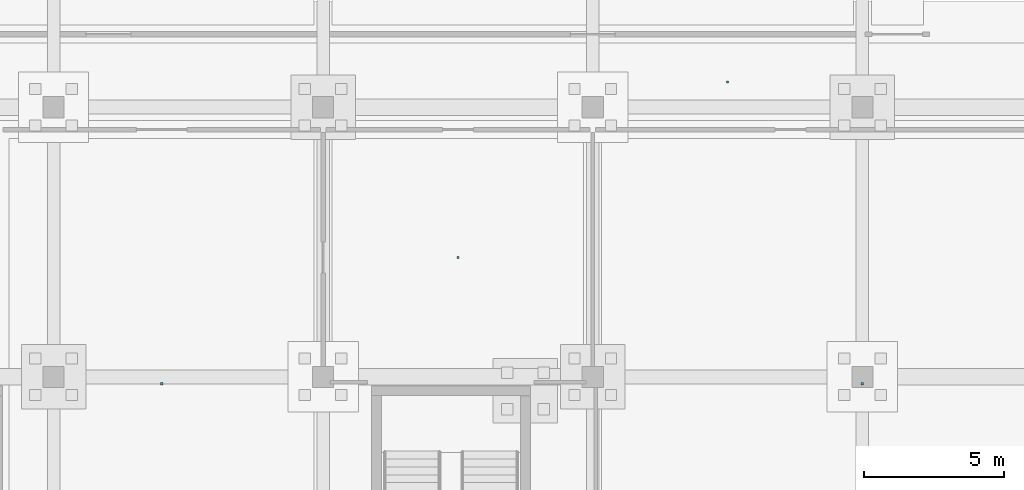
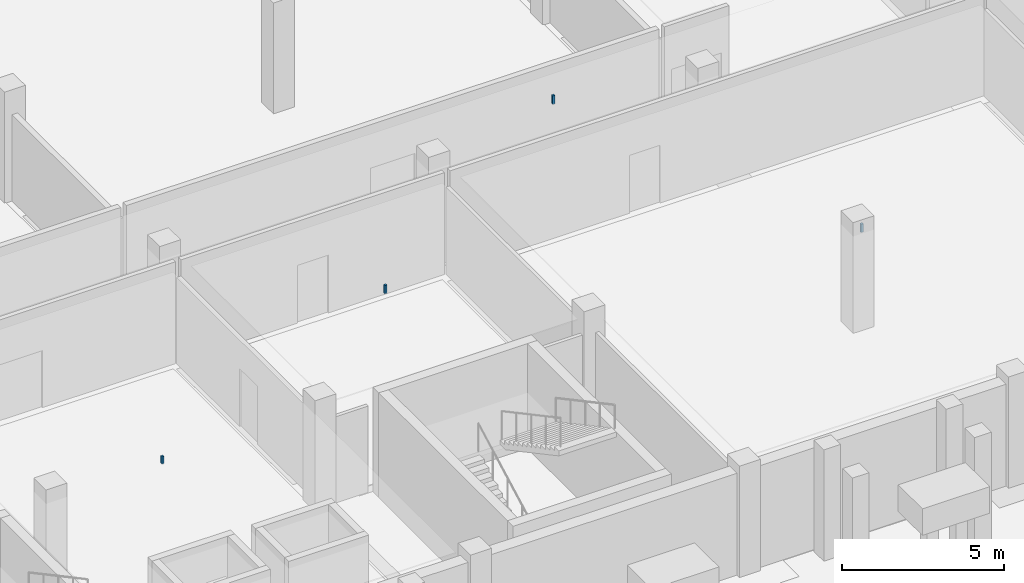
# One storey, part 26 of 31: 4 discrete accessories.
"""IFC4 building model written with IfcOpenShell, lengths in metres."""

from ifc_helpers import new_model, si_unit, direction, frame, origin, origin_2d, place, context, subcontext, project, spatial, rectangle, extrude, material, type_object, element, save


model = new_model("IFC4")

# Units and contexts
model_context = context("Model", 3, precision=1e-05, world=origin(), true_north=direction((0.0, 1.0)))
body_context = subcontext(model_context, "Body", "Model", "MODEL_VIEW")
ifc_project = project(units=[si_unit("LENGTHUNIT", "METRE"), si_unit("AREAUNIT", "SQUARE_METRE"), si_unit("VOLUMEUNIT", "CUBIC_METRE"), si_unit("PLANEANGLEUNIT", "RADIAN"), si_unit("MASSUNIT", "GRAM", prefix="KILO")], contexts=[model_context])

# Site, building, storey
site_placement = place(None, origin())
site = spatial("IfcSite", under=ifc_project, at=site_placement, CompositionType="ELEMENT")
building_placement = place(site_placement, origin())
building = spatial("IfcBuilding", under=site, at=building_placement, Name="Chalmorin Arch Market", CompositionType="ELEMENT")
storey_placement = place(building_placement, frame((0.0, 0.0, -4.199951171875)))
storey = spatial("IfcBuildingStorey", under=building, at=storey_placement, Name="B1", CompositionType="ELEMENT", Elevation=-4.199951171875)

# Discrete accessories
ifc_material = material(Name="Galvanized Cold-Formed Steel", Category="steel")
discrete_accessory_type = type_object("IfcDiscreteAccessoryType", Name="CeilingSuspensionBracket-80x80", PredefinedType="BRACKET", material=ifc_material)
discrete_accessory_placement = place(storey_placement, frame((61.449951171875, 81.35009765625, 3.65283203125), z_axis=(0.0, 0.0, 1.0), x_axis=(1.0, 0.0, 0.0)))
element("IfcDiscreteAccessory", 1, at=discrete_accessory_placement, inside=storey, type_object=discrete_accessory_type, Name="CSB-018", PredefinedType="BRACKET", context=body_context, shape_type="SweptSolid", body=[
    extrude(rectangle(XDim=0.080078125, YDim=0.080078125, at=origin_2d()), origin(), (0.0, 0.0, 1.0), 0.277099609375),
])
for number, where, z_axis, x_axis, name in (
    (2, (72.0, 85.85009765625, 3.653076171875), (0.0, 0.0, 1.0), (1.0, 0.0, 0.0), "CSB-020"),
    (3, (86.39990234375, 81.35009765625, 3.653076171875), (0.0, 0.0, 1.0), (1.0, 0.0, 0.0), "CSB-022"),
    (4, (81.60009765625, 92.10009765625, 3.653076171875), (0.0, 0.0, 1.0), (1.0, 0.0, 0.0), "CSB-026"),
):
    element("IfcDiscreteAccessory", number, at=place(storey_placement, frame(where, z_axis=z_axis, x_axis=x_axis)), inside=storey, type_object=discrete_accessory_type, Name=name, PredefinedType="BRACKET", context=body_context, shape_type="SweptSolid", body=[
        extrude(rectangle(XDim=0.080078125, YDim=0.080078125, at=origin_2d()), origin(), (0.0, 0.0, 1.0), 0.31689453125),
    ])

save(model, "model.ifc")
